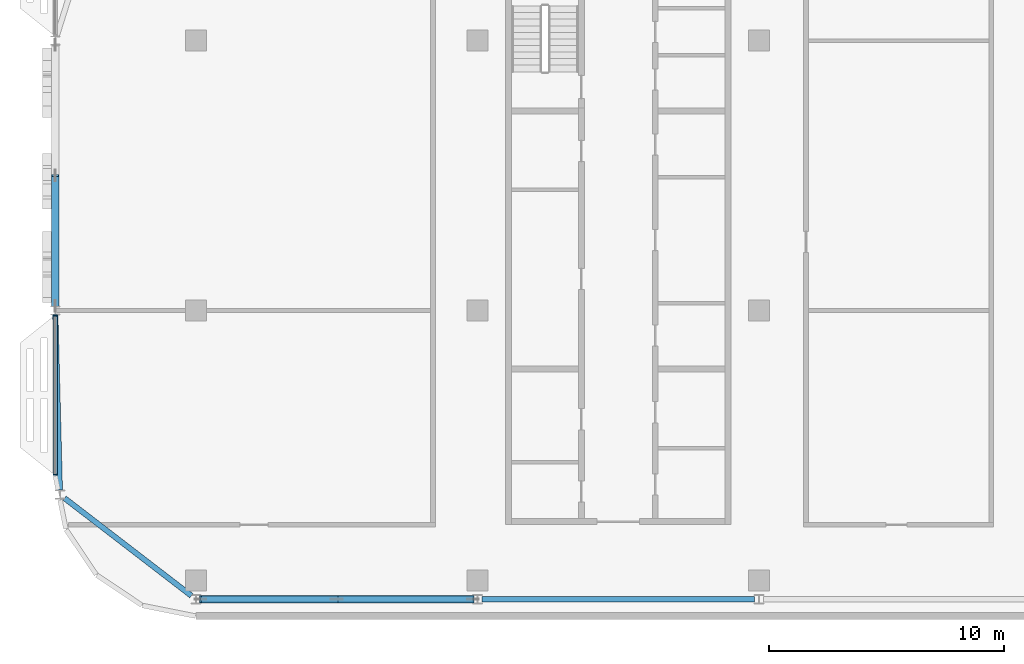
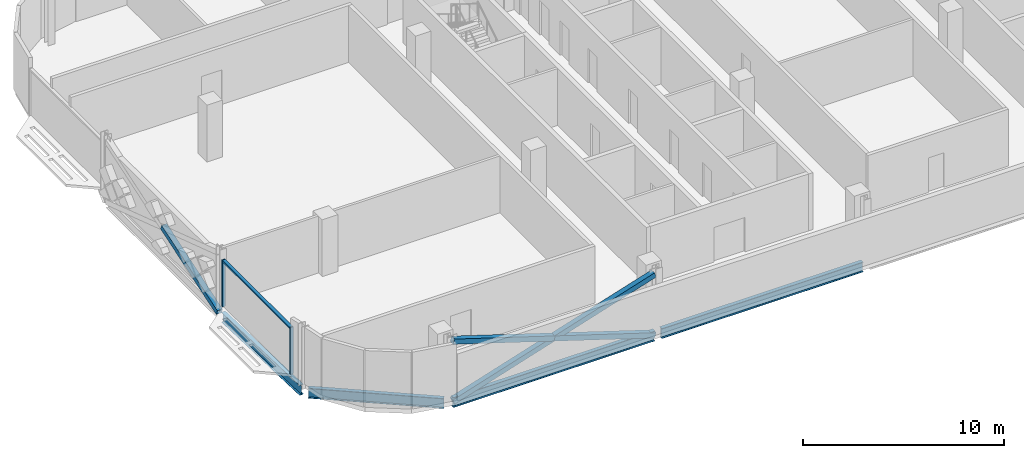
# One storey, part 5 of 29: 7 members, 4 beams, 1 element without a shape of its own.
"""IFC4 building model written with IfcOpenShell, lengths in metres."""

import ifcopenshell
import ifcopenshell.guid

model = None  # the IFC model being written
_history = None  # IfcOwnerHistory: only IFC2X3 demands one
_inside = {}  # id of a spatial element -> (the spatial element, [elements in it])
_under = {}  # id of a project, library or spatial element -> (it, [spatial elements below it])
_declared = {}  # id of a project -> (the project, [libraries it declares])
_typed = {}  # id of a type object -> (the type object, [elements of that type])
_made_of = {}  # id of a material, layer set ... -> (it, [elements and type objects made of it])


def new_model(schema):
    """Start an empty IFC model of exactly this schema.

    Asked for "IFC4X3", IfcOpenShell would pick the latest addendum, in which some entities
    have other attributes; the version numbers below select the first issue.
    IFC2X3 requires an IfcOwnerHistory on every rooted entity: one is made here for all.
    """
    global model, _history
    if schema == "IFC4X3":
        model = ifcopenshell.file(schema_version=(4, 3, 0, 0))
    else:
        model = ifcopenshell.file(schema=schema)
    _inside.clear()
    _under.clear()
    _declared.clear()
    _typed.clear()
    _made_of.clear()
    _history = None
    if model.schema == "IFC2X3":
        org = make("IfcOrganization", Name="unknown")
        user = make(
            "IfcPersonAndOrganization",
            ThePerson=make("IfcPerson", FamilyName="unknown"),
            TheOrganization=org,
        )
        app = make(
            "IfcApplication",
            ApplicationDeveloper=org,
            Version="unknown",
            ApplicationFullName="unknown",
            ApplicationIdentifier="unknown",
        )
        _history = make(
            "IfcOwnerHistory",
            OwningUser=user,
            OwningApplication=app,
            ChangeAction="ADDED",
            CreationDate=0,
        )
    return model


def make(cls, **values):
    """One entity of the class cls with the attributes given. An attribute that is None is left unset."""
    return model.create_entity(
        cls, **{name: value for name, value in values.items() if value is not None}
    )


def rooted(cls, **values):
    """An entity with a GlobalId (a new one), such as an element, a storey or a relation."""
    return make(cls, GlobalId=ifcopenshell.guid.new(), OwnerHistory=_history, **values)


def si_unit(unit_type, name, prefix=None):
    """IfcSIUnit, for example si_unit("LENGTHUNIT", "METRE", prefix="MILLI")."""
    return make("IfcSIUnit", UnitType=unit_type, Prefix=prefix, Name=name)


def assignment(units):
    """IfcUnitAssignment: the units of a project."""
    return None if units is None else make("IfcUnitAssignment", Units=units)


def point(xyz):
    """IfcCartesianPoint."""
    return None if xyz is None else make("IfcCartesianPoint", Coordinates=xyz)


def direction(xyz):
    """IfcDirection."""
    return None if xyz is None else make("IfcDirection", DirectionRatios=xyz)


def frame(location, z_axis=None, x_axis=None):
    """IfcAxis2Placement3D, a coordinate frame: its origin and axes. An axis left out is left unset."""
    return make(
        "IfcAxis2Placement3D",
        Location=point(location),
        Axis=direction(z_axis),
        RefDirection=direction(x_axis),
    )


def frame_2d(location, x_axis=None):
    """IfcAxis2Placement2D, a coordinate frame in the plane: its origin and x axis."""
    return make(
        "IfcAxis2Placement2D", Location=point(location), RefDirection=direction(x_axis)
    )


def origin():
    """The frame at (0, 0, 0) with its axes left unset."""
    return frame((0.0, 0.0, 0.0))


def origin_2d():
    """The frame at (0, 0) in the plane with its x axis left unset."""
    return frame_2d((0.0, 0.0))


def place(relative_to, where):
    """IfcLocalPlacement: puts the frame where relative to a parent placement (None: the world)."""
    return make(
        "IfcLocalPlacement", PlacementRelTo=relative_to, RelativePlacement=where
    )


def context(
    kind, dimensions, precision=None, world=None, true_north=None, identifier=None
):
    """IfcGeometricRepresentationContext, for example the 3D "Model" context."""
    return make(
        "IfcGeometricRepresentationContext",
        ContextIdentifier=identifier,
        ContextType=kind,
        CoordinateSpaceDimension=dimensions,
        Precision=precision,
        WorldCoordinateSystem=world,
        TrueNorth=true_north,
    )


def subcontext(parent, identifier, kind, view, scale=None):
    """IfcGeometricRepresentationSubContext, for example "Body" below "Model"."""
    return make(
        "IfcGeometricRepresentationSubContext",
        ContextIdentifier=identifier,
        ContextType=kind,
        ParentContext=parent,
        TargetScale=scale,
        TargetView=view,
    )


def project(units=None, contexts=None):
    """IfcProject with its units and contexts."""
    return rooted(
        "IfcProject",
        Name="project",
        RepresentationContexts=contexts,
        UnitsInContext=assignment(units),
    )


def spatial(cls, under=None, at=None, **own):
    """A site, building, storey or space (cls), placed at a placement, below another one or the project."""
    s = rooted(cls, ObjectPlacement=at, **own)
    if under is not None:
        _under.setdefault(under.id(), (under, []))[1].append(s)
    return s


def profile(cls, at=None, kind="AREA", **sizes):
    """A parametric profile (cls). Its sizes go by their IFC names, for example OverallWidth=200.0."""
    return make(cls, ProfileType=kind, Position=at, **sizes)


def rectangle(**sizes):
    """IfcRectangleProfileDef."""
    return profile("IfcRectangleProfileDef", **sizes)


def hollow_rectangle(**sizes):
    """IfcRectangleHollowProfileDef."""
    return profile("IfcRectangleHollowProfileDef", **sizes)


def i_section(**sizes):
    """IfcIShapeProfileDef."""
    return profile("IfcIShapeProfileDef", **sizes)


def extrude(swept, where, along, depth):
    """IfcExtrudedAreaSolid: the profile swept, set in the frame where, extruded along a direction by depth."""
    return make(
        "IfcExtrudedAreaSolid",
        SweptArea=swept,
        Position=where,
        ExtrudedDirection=direction(along),
        Depth=depth,
    )


def shape(context_of_items, identifier, shape_type, items):
    """IfcShapeRepresentation: the items that make up one representation, for example the "Body"."""
    return make(
        "IfcShapeRepresentation",
        ContextOfItems=context_of_items,
        RepresentationIdentifier=identifier,
        RepresentationType=shape_type,
        Items=items,
    )


def material(Name=None, Category=None):
    """IfcMaterial."""
    return make("IfcMaterial", Name=Name, Category=Category)


def material_profile(
    of_material, cross_section, Name=None, Category=None, Priority=None
):
    """IfcMaterialProfile: a cross section and its material."""
    return make(
        "IfcMaterialProfile",
        Name=Name,
        Material=of_material,
        Profile=cross_section,
        Priority=Priority,
        Category=Category,
    )


def profile_set(profiles, Name=None, composite=None):
    """IfcMaterialProfileSet."""
    return make(
        "IfcMaterialProfileSet",
        Name=Name,
        MaterialProfiles=profiles,
        CompositeProfile=composite,
    )


def made_of(thing, what):
    """Note that an element or type object is made of a material, layer set ...; save() writes the relation."""
    if what is not None:
        _made_of.setdefault(what.id(), (what, []))[1].append(thing)
    return thing


def type_object(cls, material=None, **own):
    """A type object (cls), such as IfcWallType, which elements share."""
    return made_of(rooted(cls, **own), material)


def element(
    cls,
    number,
    at=None,
    inside=None,
    cuts=None,
    type_object=None,
    material=None,
    context=None,
    identifier="Body",
    shape_type=None,
    held_by="IfcProductDefinitionShape",
    body=None,
    shapes=None,
    **own,
):
    """One element of the class cls, such as IfcWall. Its Tag is "e" and its number.

    at: its placement. inside: the storey or other place that contains it. cuts: it is an
    opening in that element (IfcRelVoidsElement). A single representation is given by context,
    identifier, shape_type and body (its items); several are given by shapes. held_by: the class
    of the entity that holds the representations. save() writes the other relations.
    """
    e = rooted(cls, Tag="e%d" % number, ObjectPlacement=at, **own)
    if body is not None:
        shapes = [shape(context, identifier, shape_type, body)]
    if shapes is not None:
        e.Representation = make(held_by, Representations=shapes)
    if inside is not None:
        _inside.setdefault(inside.id(), (inside, []))[1].append(e)
    if cuts is not None:
        rooted(
            "IfcRelVoidsElement", RelatingBuildingElement=cuts, RelatedOpeningElement=e
        )
    if type_object is not None:
        _typed.setdefault(type_object.id(), (type_object, []))[1].append(e)
    return made_of(e, material)


def aggregate(whole, parts):
    """IfcRelAggregates: a whole, such as a stair, and the parts it consists of."""
    return rooted("IfcRelAggregates", RelatingObject=whole, RelatedObjects=parts)


def save(model, path):
    """Write the relations noted so far, then the file.

    IfcRelAggregates (storeys below a building ...), IfcRelContainedInSpatialStructure (elements
    in a storey), IfcRelDefinesByType, IfcRelAssociatesMaterial and IfcRelDeclares: one each for
    every whole, place, type object, material and project.
    """
    for whole, parts in _under.values():
        aggregate(whole, parts)
    for where, things in _inside.values():
        rooted(
            "IfcRelContainedInSpatialStructure",
            RelatedElements=things,
            RelatingStructure=where,
        )
    for kind, things in _typed.values():
        rooted("IfcRelDefinesByType", RelatedObjects=things, RelatingType=kind)
    for what, things in _made_of.values():
        rooted("IfcRelAssociatesMaterial", RelatedObjects=things, RelatingMaterial=what)
    for by, libraries in _declared.values():
        rooted("IfcRelDeclares", RelatingContext=by, RelatedDefinitions=libraries)
    model.write(path)


model = new_model("IFC4")

# Units and contexts
model_context = context("Model", 3, precision=1e-05, world=origin(), true_north=direction((0.0, 1.0)))
body_context = subcontext(model_context, "Body", "Model", "MODEL_VIEW")
ifc_project = project(units=[si_unit("LENGTHUNIT", "METRE"), si_unit("AREAUNIT", "SQUARE_METRE"), si_unit("VOLUMEUNIT", "CUBIC_METRE"), si_unit("PLANEANGLEUNIT", "RADIAN"), si_unit("MASSUNIT", "GRAM", prefix="KILO")], contexts=[model_context])

# Site, building, storey
site_placement = place(None, origin())
site = spatial("IfcSite", under=ifc_project, at=site_placement, CompositionType="ELEMENT")
building_placement = place(site_placement, origin())
building = spatial("IfcBuilding", under=site, at=building_placement, Name="Mahtab Terrace Research Tower", CompositionType="ELEMENT")
storey_placement = place(building_placement, frame((0.0, 0.0, 274.699951171875)))
storey = spatial("IfcBuildingStorey", under=building, at=storey_placement, Name="L67", CompositionType="ELEMENT", Elevation=274.699951171875)

# Members
ifc_material_1 = material(Name="Steel ASTM A500 Gr C", Category="steel")
ifc_material_profile_1 = material_profile(ifc_material_1, hollow_rectangle(XDim=0.3046875, YDim=0.3046875, WallThickness=0.015869140625, at=origin_2d()), Name="HSS12X12X5/8")
ifc_profile_set_1 = profile_set([ifc_material_profile_1], Name="Steel ASTM A500 Gr C")
member_type_1 = type_object("IfcMemberType", Name="HSS 12x12x5/8 brace XB121258", PredefinedType="BRACE", material=ifc_profile_set_1)
member_1_placement = place(storey_placement, frame((-48.0, 0.18798828125, -0.581298828125), z_axis=(0.0, 0.949505289695, 0.313751023651), x_axis=(-1.0, 0.0, 0.0)))
element("IfcMember", 1, at=member_1_placement, inside=storey, type_object=member_type_1, Name="Exoskeleton brace L67 11 b1", PredefinedType="BRACE", context=body_context, shape_type="SweptSolid", body=[
    extrude(hollow_rectangle(XDim=0.3046875, YDim=0.3046875, WallThickness=0.015869140625, at=origin_2d()), origin(), (0.0, 0.0, 1.0), 5.85791015625),
])
member_2_placement = place(storey_placement, frame((-41.80322265625, -12.306884765625, -0.5810546875), z_axis=(0.953344149173, 0.0, 0.301885629399), x_axis=(0.0, 1.0, 0.0)))
element("IfcMember", 2, at=member_2_placement, inside=storey, type_object=member_type_1, Name="Exoskeleton brace L67 14 a", PredefinedType="BRACE", context=body_context, shape_type="SweptSolid", body=[
    extrude(hollow_rectangle(XDim=0.3046875, YDim=0.3046875, WallThickness=0.015869140625, at=origin_2d()), origin(), (0.0, 0.0, 1.0), 12.174560546875),
])
for number, where, z_axis, x_axis, name in (
    (3, (-30.19677734375, -12.306884765625, -0.5810546875), (-0.953344149173, 0.0, 0.301885629399), (0.0, -1.0, 0.0), "Exoskeleton brace L67 14 b1"),
    (4, (-36.0, -12.306884765625, 1.256591796875), (-0.953344149173, 0.0, 0.301885629399), (0.0, -1.0, 0.0), "Exoskeleton brace L67 14 b2"),
):
    element("IfcMember", number, at=place(storey_placement, frame(where, z_axis=z_axis, x_axis=x_axis)), inside=storey, type_object=member_type_1, Name=name, PredefinedType="BRACE", context=body_context, shape_type="SweptSolid", body=[
        extrude(hollow_rectangle(XDim=0.3046875, YDim=0.3046875, WallThickness=0.015869140625, at=origin_2d()), origin(), (0.0, 0.0, 1.0), 6.087158203125),
    ])

# Curtain wall, members
ifc_material_2 = material(Name="Office ribbon curtain wall")
curtain_wall_type = type_object("IfcCurtainWallType", Name="Office ribbon curtain wall", PredefinedType="NOTDEFINED", material=ifc_material_2)
curtain_wall_placement = place(storey_placement, origin())
curtain_wall = element("IfcCurtainWall", 5, at=curtain_wall_placement, inside=storey, type_object=curtain_wall_type, Name="EN.L67.8.10", PredefinedType="NOTDEFINED")
ifc_material_3 = material(Name="Natural anodised aluminium", Category="aluminium")
ifc_material_profile_2 = material_profile(ifc_material_3, rectangle(XDim=0.179931640625, YDim=0.06005859375, at=origin_2d()), Name="MULLION 60x180")
ifc_profile_set_2 = profile_set([ifc_material_profile_2], Name="Natural anodised aluminium")
member_type_2 = type_object("IfcMemberType", Name="Office ribbon curtain wall mullion", PredefinedType="MULLION", material=ifc_profile_set_2)
member_3_placement = place(storey_placement, frame((-48.0, -0.218017578125, 0.0), z_axis=(0.0, 0.0, 1.0), x_axis=(1.0, 0.0, 0.0)))
member_3 = element("IfcMember", 6, at=member_3_placement, type_object=member_type_2, Name="CWO-8 mullion 1", PredefinedType="MULLION", context=body_context, shape_type="SweptSolid", body=[
    extrude(rectangle(XDim=0.179931640625, YDim=0.06005859375, at=origin_2d()), origin(), (0.0, 0.0, 1.0), 2.85302734375),
])
member_4_placement = place(storey_placement, frame((-48.0, -6.9990234375, 0.0), z_axis=(0.0, 0.0, 1.0), x_axis=(1.0, 0.0, 0.0)))
member_4 = element("IfcMember", 7, at=member_4_placement, type_object=member_type_2, Name="CWO-8 mullion 2", PredefinedType="MULLION", context=body_context, shape_type="SweptSolid", body=[
    extrude(rectangle(XDim=0.179931640625, YDim=0.06005859375, at=origin_2d()), origin(), (0.0, 0.0, 1.0), 2.85302734375),
])
ifc_material_profile_3 = material_profile(ifc_material_3, rectangle(XDim=0.179931640625, YDim=0.10009765625, at=origin_2d()), Name="TRANSOM 100x180")
ifc_profile_set_3 = profile_set([ifc_material_profile_3], Name="Natural anodised aluminium")
member_type_3 = type_object("IfcMemberType", Name="Office ribbon curtain wall transom", PredefinedType="USERDEFINED", material=ifc_profile_set_3)
member_5_placement = place(storey_placement, frame((-48.0, -0.248046875, 2.802978515625), z_axis=(0.0, -1.0, 0.0), x_axis=(1.0, 0.0, 0.0)))
member_5 = element("IfcMember", 8, at=member_5_placement, type_object=member_type_3, Name="CWO-8 transom 1", ObjectType="TRANSOM", PredefinedType="USERDEFINED", context=body_context, shape_type="SweptSolid", body=[
    extrude(rectangle(XDim=0.179931640625, YDim=0.10009765625, at=origin_2d()), origin(), (0.0, 0.0, 1.0), 6.720947265625),
])
aggregate(curtain_wall, [member_3, member_4, member_5])

# Beams
ifc_material_4 = material(Name="Steel ASTM A992 Gr 50", Category="steel")
ifc_material_profile_4 = material_profile(ifc_material_4, i_section(OverallWidth=0.228271484375, OverallDepth=0.607177734375, WebThickness=0.01123046875, FlangeThickness=0.017333984375, at=origin_2d()), Name="W24X76")
ifc_profile_set_4 = profile_set([ifc_material_profile_4], Name="Steel ASTM A992 Gr 50")
beam_type = type_object("IfcBeamType", Name="W24x76 beam BS2476", PredefinedType="BEAM", material=ifc_profile_set_4)
beam_1_placement = place(storey_placement, frame((-47.9951171875, -0.18798828125, -0.6435546875), z_axis=(0.025738056343, -0.999668721355, 0.0), x_axis=(0.999668721355, 0.025738056343, 0.0)))
element("IfcBeam", 9, at=beam_1_placement, inside=storey, type_object=beam_type, Name="Spandrel beam L67 12", PredefinedType="BEAM", context=body_context, shape_type="SweptSolid", body=[
    extrude(i_section(OverallWidth=0.228271484375, OverallDepth=0.607177734375, WebThickness=0.01123046875, FlangeThickness=0.017333984375, at=origin_2d()), origin(), (0.0, 0.0, 1.0), 7.474609375),
])
beam_2_placement = place(storey_placement, frame((-47.60107421875, -7.999267578125, -0.6435546875), z_axis=(0.792687883453, -0.60962768919, 0.0), x_axis=(0.60962768919, 0.792687883453, 0.0)))
element("IfcBeam", 10, at=beam_2_placement, inside=storey, type_object=beam_type, Name="Spandrel beam L67 13", PredefinedType="BEAM", context=body_context, shape_type="SweptSolid", body=[
    extrude(i_section(OverallWidth=0.228271484375, OverallDepth=0.607177734375, WebThickness=0.01123046875, FlangeThickness=0.017333984375, at=origin_2d()), origin(), (0.0, 0.0, 1.0), 6.817626953125),
])
for number, where, z_axis, x_axis, name in (
    (11, (-41.80322265625, -12.306884765625, -0.6435546875), (1.0, 0.0, 0.0), (0.0, 1.0, 0.0), "Spandrel beam L67 14"),
    (12, (-29.80322265625, -12.306884765625, -0.6435546875), (1.0, 0.0, 0.0), (0.0, 1.0, 0.0), "Spandrel beam L67 15"),
):
    element("IfcBeam", number, at=place(storey_placement, frame(where, z_axis=z_axis, x_axis=x_axis)), inside=storey, type_object=beam_type, Name=name, PredefinedType="BEAM", context=body_context, shape_type="SweptSolid", body=[
        extrude(i_section(OverallWidth=0.228271484375, OverallDepth=0.607177734375, WebThickness=0.01123046875, FlangeThickness=0.017333984375, at=origin_2d()), origin(), (0.0, 0.0, 1.0), 11.6064453125),
    ])

save(model, "model.ifc")
